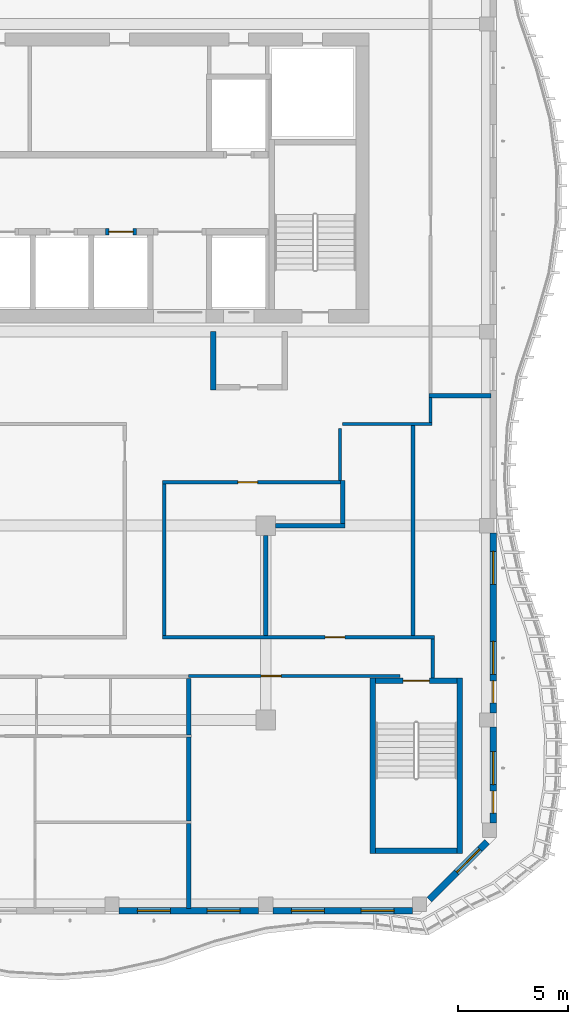
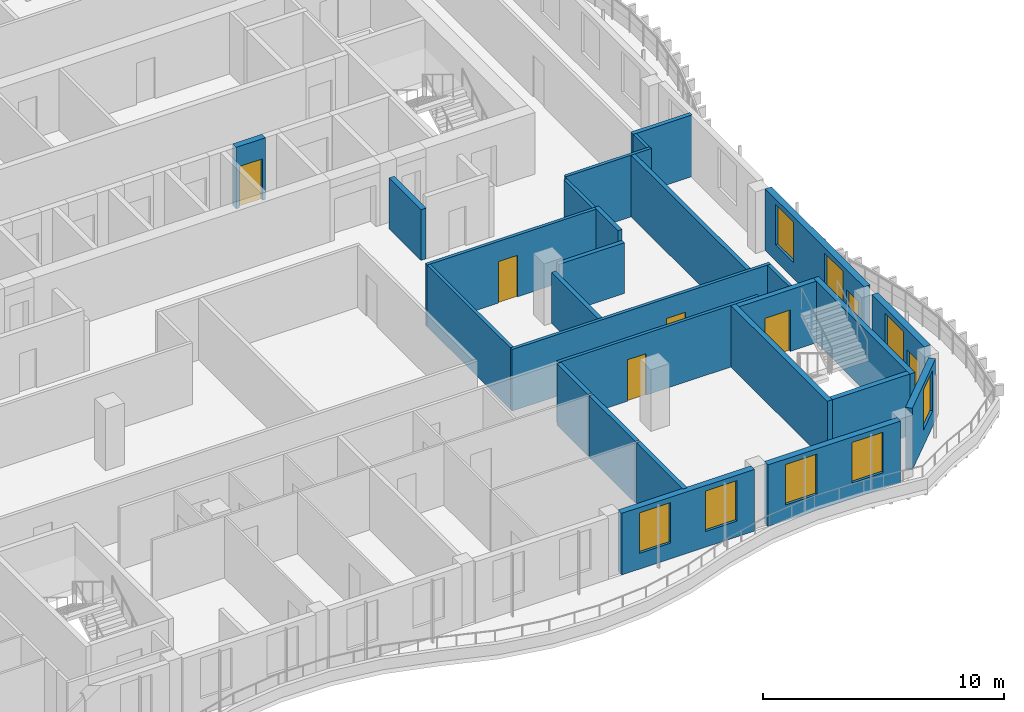
# One storey, part 5 of 18: 27 walls, 8 windows, 7 doors, 15 openings.
"""IFC4 building model written with IfcOpenShell, lengths in metres."""

import ifcopenshell
import ifcopenshell.guid

model = None  # the IFC model being written
_history = None  # IfcOwnerHistory: only IFC2X3 demands one
_inside = {}  # id of a spatial element -> (the spatial element, [elements in it])
_under = {}  # id of a project, library or spatial element -> (it, [spatial elements below it])
_declared = {}  # id of a project -> (the project, [libraries it declares])
_typed = {}  # id of a type object -> (the type object, [elements of that type])
_made_of = {}  # id of a material, layer set ... -> (it, [elements and type objects made of it])


def new_model(schema):
    """Start an empty IFC model of exactly this schema.

    Asked for "IFC4X3", IfcOpenShell would pick the latest addendum, in which some entities
    have other attributes; the version numbers below select the first issue.
    IFC2X3 requires an IfcOwnerHistory on every rooted entity: one is made here for all.
    """
    global model, _history
    if schema == "IFC4X3":
        model = ifcopenshell.file(schema_version=(4, 3, 0, 0))
    else:
        model = ifcopenshell.file(schema=schema)
    _inside.clear()
    _under.clear()
    _declared.clear()
    _typed.clear()
    _made_of.clear()
    _history = None
    if model.schema == "IFC2X3":
        org = make("IfcOrganization", Name="unknown")
        user = make(
            "IfcPersonAndOrganization",
            ThePerson=make("IfcPerson", FamilyName="unknown"),
            TheOrganization=org,
        )
        app = make(
            "IfcApplication",
            ApplicationDeveloper=org,
            Version="unknown",
            ApplicationFullName="unknown",
            ApplicationIdentifier="unknown",
        )
        _history = make(
            "IfcOwnerHistory",
            OwningUser=user,
            OwningApplication=app,
            ChangeAction="ADDED",
            CreationDate=0,
        )
    return model


def make(cls, **values):
    """One entity of the class cls with the attributes given. An attribute that is None is left unset."""
    return model.create_entity(
        cls, **{name: value for name, value in values.items() if value is not None}
    )


def rooted(cls, **values):
    """An entity with a GlobalId (a new one), such as an element, a storey or a relation."""
    return make(cls, GlobalId=ifcopenshell.guid.new(), OwnerHistory=_history, **values)


def si_unit(unit_type, name, prefix=None):
    """IfcSIUnit, for example si_unit("LENGTHUNIT", "METRE", prefix="MILLI")."""
    return make("IfcSIUnit", UnitType=unit_type, Prefix=prefix, Name=name)


def assignment(units):
    """IfcUnitAssignment: the units of a project."""
    return None if units is None else make("IfcUnitAssignment", Units=units)


def point(xyz):
    """IfcCartesianPoint."""
    return None if xyz is None else make("IfcCartesianPoint", Coordinates=xyz)


def direction(xyz):
    """IfcDirection."""
    return None if xyz is None else make("IfcDirection", DirectionRatios=xyz)


def frame(location, z_axis=None, x_axis=None):
    """IfcAxis2Placement3D, a coordinate frame: its origin and axes. An axis left out is left unset."""
    return make(
        "IfcAxis2Placement3D",
        Location=point(location),
        Axis=direction(z_axis),
        RefDirection=direction(x_axis),
    )


def frame_2d(location, x_axis=None):
    """IfcAxis2Placement2D, a coordinate frame in the plane: its origin and x axis."""
    return make(
        "IfcAxis2Placement2D", Location=point(location), RefDirection=direction(x_axis)
    )


def origin():
    """The frame at (0, 0, 0) with its axes left unset."""
    return frame((0.0, 0.0, 0.0))


def place(relative_to, where):
    """IfcLocalPlacement: puts the frame where relative to a parent placement (None: the world)."""
    return make(
        "IfcLocalPlacement", PlacementRelTo=relative_to, RelativePlacement=where
    )


def context(
    kind, dimensions, precision=None, world=None, true_north=None, identifier=None
):
    """IfcGeometricRepresentationContext, for example the 3D "Model" context."""
    return make(
        "IfcGeometricRepresentationContext",
        ContextIdentifier=identifier,
        ContextType=kind,
        CoordinateSpaceDimension=dimensions,
        Precision=precision,
        WorldCoordinateSystem=world,
        TrueNorth=true_north,
    )


def subcontext(parent, identifier, kind, view, scale=None):
    """IfcGeometricRepresentationSubContext, for example "Body" below "Model"."""
    return make(
        "IfcGeometricRepresentationSubContext",
        ContextIdentifier=identifier,
        ContextType=kind,
        ParentContext=parent,
        TargetScale=scale,
        TargetView=view,
    )


def project(units=None, contexts=None):
    """IfcProject with its units and contexts."""
    return rooted(
        "IfcProject",
        Name="project",
        RepresentationContexts=contexts,
        UnitsInContext=assignment(units),
    )


def spatial(cls, under=None, at=None, **own):
    """A site, building, storey or space (cls), placed at a placement, below another one or the project."""
    s = rooted(cls, ObjectPlacement=at, **own)
    if under is not None:
        _under.setdefault(under.id(), (under, []))[1].append(s)
    return s


def profile(cls, at=None, kind="AREA", **sizes):
    """A parametric profile (cls). Its sizes go by their IFC names, for example OverallWidth=200.0."""
    return make(cls, ProfileType=kind, Position=at, **sizes)


def rectangle(**sizes):
    """IfcRectangleProfileDef."""
    return profile("IfcRectangleProfileDef", **sizes)


def extrude(swept, where, along, depth):
    """IfcExtrudedAreaSolid: the profile swept, set in the frame where, extruded along a direction by depth."""
    return make(
        "IfcExtrudedAreaSolid",
        SweptArea=swept,
        Position=where,
        ExtrudedDirection=direction(along),
        Depth=depth,
    )


def shape(context_of_items, identifier, shape_type, items):
    """IfcShapeRepresentation: the items that make up one representation, for example the "Body"."""
    return make(
        "IfcShapeRepresentation",
        ContextOfItems=context_of_items,
        RepresentationIdentifier=identifier,
        RepresentationType=shape_type,
        Items=items,
    )


def source(mapping_origin, context_of_items, identifier, shape_type, items):
    """IfcRepresentationMap: a shape defined once, which mapped items show again and again."""
    return make(
        "IfcRepresentationMap",
        MappingOrigin=mapping_origin,
        MappedRepresentation=shape(context_of_items, identifier, shape_type, items),
    )


def transform(
    local_origin,
    x_axis=None,
    y_axis=None,
    z_axis=None,
    scale=None,
    scale2=None,
    scale3=None,
    uniform=True,
):
    """IfcCartesianTransformationOperator3D, or its non-uniform kind. x_axis, y_axis, z_axis: its Axis1, 2, 3."""
    if uniform:
        return make(
            "IfcCartesianTransformationOperator3D",
            Axis1=direction(x_axis),
            Axis2=direction(y_axis),
            LocalOrigin=point(local_origin),
            Scale=scale,
            Axis3=direction(z_axis),
        )
    return make(
        "IfcCartesianTransformationOperator3DnonUniform",
        Axis1=direction(x_axis),
        Axis2=direction(y_axis),
        LocalOrigin=point(local_origin),
        Scale=scale,
        Axis3=direction(z_axis),
        Scale2=scale2,
        Scale3=scale3,
    )


def mapped(mapping_source, mapping_target):
    """IfcMappedItem: shows the shape of a source again, moved by a transform."""
    return make(
        "IfcMappedItem", MappingSource=mapping_source, MappingTarget=mapping_target
    )


def material(Name=None, Category=None):
    """IfcMaterial."""
    return make("IfcMaterial", Name=Name, Category=Category)


def layer(
    of_material, thickness, ventilated=None, Name=None, Category=None, Priority=None
):
    """IfcMaterialLayer: one layer of a wall or slab, of a material (None: an air gap)."""
    return make(
        "IfcMaterialLayer",
        Material=of_material,
        LayerThickness=thickness,
        IsVentilated=ventilated,
        Name=Name,
        Category=Category,
        Priority=Priority,
    )


def layer_set(layers, Name=None):
    """IfcMaterialLayerSet."""
    return make("IfcMaterialLayerSet", MaterialLayers=layers, LayerSetName=Name)


def made_of(thing, what):
    """Note that an element or type object is made of a material, layer set ...; save() writes the relation."""
    if what is not None:
        _made_of.setdefault(what.id(), (what, []))[1].append(thing)
    return thing


def type_object(cls, material=None, **own):
    """A type object (cls), such as IfcWallType, which elements share."""
    return made_of(rooted(cls, **own), material)


def element(
    cls,
    number,
    at=None,
    inside=None,
    cuts=None,
    type_object=None,
    material=None,
    context=None,
    identifier="Body",
    shape_type=None,
    held_by="IfcProductDefinitionShape",
    body=None,
    shapes=None,
    **own,
):
    """One element of the class cls, such as IfcWall. Its Tag is "e" and its number.

    at: its placement. inside: the storey or other place that contains it. cuts: it is an
    opening in that element (IfcRelVoidsElement). A single representation is given by context,
    identifier, shape_type and body (its items); several are given by shapes. held_by: the class
    of the entity that holds the representations. save() writes the other relations.
    """
    e = rooted(cls, Tag="e%d" % number, ObjectPlacement=at, **own)
    if body is not None:
        shapes = [shape(context, identifier, shape_type, body)]
    if shapes is not None:
        e.Representation = make(held_by, Representations=shapes)
    if inside is not None:
        _inside.setdefault(inside.id(), (inside, []))[1].append(e)
    if cuts is not None:
        rooted(
            "IfcRelVoidsElement", RelatingBuildingElement=cuts, RelatedOpeningElement=e
        )
    if type_object is not None:
        _typed.setdefault(type_object.id(), (type_object, []))[1].append(e)
    return made_of(e, material)


def fill(opening, filler):
    """IfcRelFillsElement: the door or window that sits in an opening."""
    return rooted(
        "IfcRelFillsElement",
        RelatingOpeningElement=opening,
        RelatedBuildingElement=filler,
    )


def aggregate(whole, parts):
    """IfcRelAggregates: a whole, such as a stair, and the parts it consists of."""
    return rooted("IfcRelAggregates", RelatingObject=whole, RelatedObjects=parts)


def save(model, path):
    """Write the relations noted so far, then the file.

    IfcRelAggregates (storeys below a building ...), IfcRelContainedInSpatialStructure (elements
    in a storey), IfcRelDefinesByType, IfcRelAssociatesMaterial and IfcRelDeclares: one each for
    every whole, place, type object, material and project.
    """
    for whole, parts in _under.values():
        aggregate(whole, parts)
    for where, things in _inside.values():
        rooted(
            "IfcRelContainedInSpatialStructure",
            RelatedElements=things,
            RelatingStructure=where,
        )
    for kind, things in _typed.values():
        rooted("IfcRelDefinesByType", RelatedObjects=things, RelatingType=kind)
    for what, things in _made_of.values():
        rooted("IfcRelAssociatesMaterial", RelatedObjects=things, RelatingMaterial=what)
    for by, libraries in _declared.values():
        rooted("IfcRelDeclares", RelatingContext=by, RelatedDefinitions=libraries)
    model.write(path)


model = new_model("IFC4")

# Units and contexts
model_context = context("Model", 3, precision=1e-05, world=origin(), true_north=direction((0.0, 1.0)))
body_context = subcontext(model_context, "Body", "Model", "MODEL_VIEW")
ifc_project = project(units=[si_unit("LENGTHUNIT", "METRE"), si_unit("AREAUNIT", "SQUARE_METRE"), si_unit("VOLUMEUNIT", "CUBIC_METRE"), si_unit("PLANEANGLEUNIT", "RADIAN"), si_unit("MASSUNIT", "GRAM", prefix="KILO")], contexts=[model_context])

# Site, building, storey
site_placement = place(None, origin())
site = spatial("IfcSite", under=ifc_project, at=site_placement, CompositionType="ELEMENT")
building_placement = place(site_placement, origin())
building = spatial("IfcBuilding", under=site, at=building_placement, Name="Kilnfold Tower and Market Hall", CompositionType="ELEMENT")
storey_placement = place(building_placement, frame((0.0, 0.0, 277.199951171875)))
storey = spatial("IfcBuildingStorey", under=building, at=storey_placement, Name="L68", CompositionType="ELEMENT", Elevation=277.199951171875)

# Walls
ifc_material_1 = material(Name="Gypsum board on steel studs", Category="steel")
ifc_layer_1 = layer(ifc_material_1, 0.14990234375)
ifc_layer_set_1 = layer_set([ifc_layer_1], Name="Gypsum board on steel studs")
wall_type_1 = type_object("IfcWallType", Name="WALL CORRIDOR 150", PredefinedType="PARTITIONING", material=ifc_layer_set_1)
wall_1_placement = place(storey_placement, frame((20.5, 3.875, 0.0), z_axis=(0.0, 0.0, 1.0), x_axis=(0.0, 1.0, 0.0)))
element("IfcWall", 1, at=wall_1_placement, inside=storey, type_object=wall_type_1, Name="Partition LY42.15", PredefinedType="PARTITIONING", context=body_context, shape_type="SweptSolid", body=[
    extrude(rectangle(XDim=1.117919921875, YDim=0.14990234375, at=frame_2d((0.55908203125, 0.0))), origin(), (0.0, 0.0, 1.0), 3.1201171875),
])
wall_2_placement = place(storey_placement, frame((20.60009765625, -7.75, 0.0), z_axis=(0.0, 0.0, 1.0), x_axis=(0.0, 1.0, 0.0)))
element("IfcWall", 2, at=wall_2_placement, inside=storey, type_object=wall_type_1, Name="Partition LY42.16", PredefinedType="PARTITIONING", context=body_context, shape_type="SweptSolid", body=[
    extrude(rectangle(XDim=1.77490234375, YDim=0.14990234375, at=frame_2d((0.887451171875, 0.0))), origin(), (0.0, 0.0, 1.0), 3.1201171875),
])

# Wall, opening, door
wall_3_placement = place(storey_placement, frame((9.489990234375, -7.669921875, 0.0), z_axis=(0.0, 0.0, 1.0), x_axis=(1.0, 0.0, 0.0)))
wall_3 = element("IfcWall", 3, at=wall_3_placement, inside=storey, type_object=wall_type_1, Name="Partition LY42.17", PredefinedType="PARTITIONING", context=body_context, shape_type="SweptSolid", body=[
    extrude(rectangle(XDim=9.610107421875, YDim=0.14990234375, at=frame_2d((4.80517578125, 0.0))), origin(), (0.0, 0.0, 1.0), 3.1201171875),
])
opening_1_placement = place(wall_3_placement, frame((3.303955078125, 0.0, 0.0)))
opening_1 = element("IfcOpeningElement", 4, at=opening_1_placement, cuts=wall_3, Name="Opening D2", PredefinedType="OPENING", context=body_context, shape_type="SweptSolid", body=[
    extrude(rectangle(XDim=0.89990234375, YDim=2.10009765625, at=frame_2d((0.449951171875, 1.050048828125))), frame((0.0, 0.0849609375, 0.0), z_axis=(0.0, -1.0, 0.0), x_axis=(1.0, 0.0, 0.0)), (0.0, 0.0, 1.0), 0.169921875),
])
ifc_material_2 = material(Name="Timber veneer door leaf in steel frame", Category="steel")
door_type_1 = type_object("IfcDoorType", Name="DOOR ROOM 900 X2100", OperationType="NOTDEFINED", PredefinedType="DOOR", material=ifc_material_2)
door_1_placement = place(opening_1_placement, origin())
door_1 = element("IfcDoor", 5, at=door_1_placement, inside=storey, type_object=door_type_1, Name="Door D2", OperationType="SINGLE_SWING_RIGHT", OverallHeight=2.10009765625, OverallWidth=0.89990234375, PredefinedType="DOOR", context=body_context, shape_type="SweptSolid", body=[
    extrude(rectangle(XDim=0.89990234375, YDim=2.10009765625, at=frame_2d((0.449951171875, 1.050048828125))), frame((0.0, 0.02490234375, 0.0), z_axis=(0.0, -1.0, 0.0), x_axis=(1.0, 0.0, 0.0)), (0.0, 0.0, 1.0), 0.050048828125),
])
fill(opening_1, door_1)

# Wall
wall_4_placement = place(storey_placement, frame((16.3798828125, 1.22509765625, 0.0), z_axis=(0.0, 0.0, 1.0), x_axis=(0.0, 1.0, 0.0)))
element("IfcWall", 6, at=wall_4_placement, inside=storey, type_object=wall_type_1, Name="Partition LY42.28", PredefinedType="PARTITIONING", context=body_context, shape_type="SweptSolid", body=[
    extrude(rectangle(XDim=2.367919921875, YDim=0.14990234375, at=frame_2d((1.18408203125, 0.0))), origin(), (0.0, 0.0, 1.0), 3.1201171875),
])

# Wall, opening, door
wall_5_placement = place(storey_placement, frame((8.304931640625, 1.14990234375, 0.0), z_axis=(0.0, 0.0, 1.0), x_axis=(1.0, 0.0, 0.0)))
wall_5 = element("IfcWall", 7, at=wall_5_placement, inside=storey, type_object=wall_type_1, Name="Partition LY42.29", PredefinedType="PARTITIONING", context=body_context, shape_type="SweptSolid", body=[
    extrude(rectangle(XDim=8.094970703125, YDim=0.14990234375, at=frame_2d((4.04736328125, 0.0))), origin(), (0.0, 0.0, 1.0), 3.1201171875),
])
opening_2_placement = place(wall_5_placement, frame((3.424072265625, 0.0, 0.0)))
opening_2 = element("IfcOpeningElement", 8, at=opening_2_placement, cuts=wall_5, Name="Opening D2", PredefinedType="OPENING", context=body_context, shape_type="SweptSolid", body=[
    extrude(rectangle(XDim=0.89990234375, YDim=2.10009765625, at=frame_2d((0.449951171875, 1.050048828125))), frame((0.0, 0.0849609375, 0.0), z_axis=(0.0, -1.0, 0.0), x_axis=(1.0, 0.0, 0.0)), (0.0, 0.0, 1.0), 0.169921875),
])
door_2_placement = place(opening_2_placement, origin())
door_2 = element("IfcDoor", 9, at=door_2_placement, inside=storey, type_object=door_type_1, Name="Door D2", OperationType="SINGLE_SWING_LEFT", OverallHeight=2.10009765625, OverallWidth=0.89990234375, PredefinedType="DOOR", context=body_context, shape_type="SweptSolid", body=[
    extrude(rectangle(XDim=0.89990234375, YDim=2.10009765625, at=frame_2d((0.449951171875, 1.050048828125))), frame((0.0, 0.02490234375, 0.0), z_axis=(0.0, -1.0, 0.0), x_axis=(1.0, 0.0, 0.0)), (0.0, 0.0, 1.0), 0.050048828125),
])
fill(opening_2, door_2)

# Wall
wall_6_placement = place(storey_placement, frame((8.3798828125, -5.824951171875, 0.0), z_axis=(0.0, 0.0, 1.0), x_axis=(0.0, 1.0, 0.0)))
element("IfcWall", 10, at=wall_6_placement, inside=storey, type_object=wall_type_1, Name="Partition LY42.30", PredefinedType="PARTITIONING", context=body_context, shape_type="SweptSolid", body=[
    extrude(rectangle(XDim=6.89990234375, YDim=0.14990234375, at=frame_2d((3.449951171875, 0.0))), origin(), (0.0, 0.0, 1.0), 3.1201171875),
])

# Wall, opening, door
wall_7_placement = place(storey_placement, frame((8.304931640625, -5.89990234375, 0.0), z_axis=(0.0, 0.0, 1.0), x_axis=(1.0, 0.0, 0.0)))
wall_7 = element("IfcWall", 11, at=wall_7_placement, inside=storey, type_object=wall_type_1, Name="Partition LY42.31", PredefinedType="PARTITIONING", context=body_context, shape_type="SweptSolid", body=[
    extrude(rectangle(XDim=12.3701171875, YDim=0.14990234375, at=frame_2d((6.18505859375, 0.0))), origin(), (0.0, 0.0, 1.0), 3.1201171875),
])
opening_3_placement = place(wall_7_placement, frame((7.39404296875, 0.0, 0.0)))
opening_3 = element("IfcOpeningElement", 12, at=opening_3_placement, cuts=wall_7, Name="Opening D2", PredefinedType="OPENING", context=body_context, shape_type="SweptSolid", body=[
    extrude(rectangle(XDim=0.89990234375, YDim=2.10009765625, at=frame_2d((0.449951171875, 1.050048828125))), frame((0.0, 0.0849609375, 0.0), z_axis=(0.0, -1.0, 0.0), x_axis=(1.0, 0.0, 0.0)), (0.0, 0.0, 1.0), 0.169921875),
])
door_3_placement = place(opening_3_placement, origin())
door_3 = element("IfcDoor", 13, at=door_3_placement, inside=storey, type_object=door_type_1, Name="Door D2", OperationType="SINGLE_SWING_RIGHT", OverallHeight=2.10009765625, OverallWidth=0.89990234375, PredefinedType="DOOR", context=body_context, shape_type="SweptSolid", body=[
    extrude(rectangle(XDim=0.89990234375, YDim=2.10009765625, at=frame_2d((0.449951171875, 1.050048828125))), frame((0.0, 0.02490234375, 0.0), z_axis=(0.0, -1.0, 0.0), x_axis=(1.0, 0.0, 0.0)), (0.0, 0.0, 1.0), 0.050048828125),
])
fill(opening_3, door_3)

# Walls
wall_8_placement = place(storey_placement, frame((16.489990234375, 3.800048828125, 0.0), z_axis=(0.0, 0.0, 1.0), x_axis=(1.0, 0.0, 0.0)))
element("IfcWall", 14, at=wall_8_placement, inside=storey, type_object=wall_type_1, Name="Partition LY42.32", PredefinedType="PARTITIONING", context=body_context, shape_type="SweptSolid", body=[
    extrude(rectangle(XDim=4.0849609375, YDim=0.14990234375, at=frame_2d((2.04248046875, 0.0))), origin(), (0.0, 0.0, 1.0), 3.1201171875),
])
ifc_material_3 = material(Name="Gypsum board on steel studs", Category="steel")
ifc_layer_2 = layer(ifc_material_3, 0.199951171875)
ifc_layer_set_2 = layer_set([ifc_layer_2], Name="Gypsum board on steel studs")
wall_type_2 = type_object("IfcWallType", Name="WALL PARTY 200", PredefinedType="PARTITIONING", material=ifc_layer_set_2)
wall_9_placement = place(storey_placement, frame((9.5, -10.35009765625, 0.0), z_axis=(0.0, 0.0, 1.0), x_axis=(0.0, 1.0, 0.0)))
element("IfcWall", 15, at=wall_9_placement, inside=storey, type_object=wall_type_2, Name="Partition LY42.56", PredefinedType="PARTITIONING", context=body_context, shape_type="SweptSolid", body=[
    extrude(rectangle(XDim=2.572998046875, YDim=0.199951171875, at=frame_2d((1.28662109375, 0.0))), origin(), (0.0, 0.0, 1.0), 3.1201171875),
])
wall_10_placement = place(storey_placement, frame((9.5, -18.25, 0.0), z_axis=(0.0, 0.0, 1.0), x_axis=(0.0, 1.0, 0.0)))
element("IfcWall", 16, at=wall_10_placement, inside=storey, type_object=wall_type_2, Name="Partition LY42.60", PredefinedType="PARTITIONING", context=body_context, shape_type="SweptSolid", body=[
    extrude(rectangle(XDim=3.8740234375, YDim=0.199951171875, at=frame_2d((1.93701171875, 0.0))), origin(), (0.0, 0.0, 1.0), 3.1201171875),
])
wall_11_placement = place(storey_placement, frame((9.5, -14.27587890625, 0.0), z_axis=(0.0, 0.0, 1.0), x_axis=(0.0, 1.0, 0.0)))
element("IfcWall", 17, at=wall_11_placement, inside=storey, type_object=wall_type_2, Name="Partition LY42.61", PredefinedType="PARTITIONING", context=body_context, shape_type="SweptSolid", body=[
    extrude(rectangle(XDim=3.823974609375, YDim=0.199951171875, at=frame_2d((1.912109375, 0.0))), origin(), (0.0, 0.0, 1.0), 3.1201171875),
])
wall_12_placement = place(storey_placement, frame((23.25, 5.0830078125, 0.0), z_axis=(0.0, 0.0, 1.0), x_axis=(-1.0, 0.0, 0.0)))
element("IfcWall", 18, at=wall_12_placement, inside=storey, type_object=wall_type_2, Name="Partition LY42.62", PredefinedType="PARTITIONING", context=body_context, shape_type="SweptSolid", body=[
    extrude(rectangle(XDim=2.822998046875, YDim=0.199951171875, at=frame_2d((1.41162109375, 0.0))), origin(), (0.0, 0.0, 1.0), 3.1201171875),
])
wall_13_placement = place(storey_placement, frame((19.699951171875, 3.722900390625, 0.0), z_axis=(0.0, 0.0, 1.0), x_axis=(0.0, -1.0, 0.0)))
element("IfcWall", 19, at=wall_13_placement, inside=storey, type_object=wall_type_2, Name="Partition LY42.63", PredefinedType="PARTITIONING", context=body_context, shape_type="SweptSolid", body=[
    extrude(rectangle(XDim=9.5458984375, YDim=0.199951171875, at=frame_2d((4.77294921875, 0.0))), origin(), (0.0, 0.0, 1.0), 3.1201171875),
])
wall_14_placement = place(storey_placement, frame((16.5, -0.73291015625, 0.0), z_axis=(0.0, 0.0, 1.0), x_axis=(0.0, 1.0, 0.0)))
element("IfcWall", 20, at=wall_14_placement, inside=storey, type_object=wall_type_2, Name="Partition LY42.80", PredefinedType="PARTITIONING", context=body_context, shape_type="SweptSolid", body=[
    extrude(rectangle(XDim=1.9580078125, YDim=0.199951171875, at=frame_2d((0.97900390625, 0.0))), origin(), (0.0, 0.0, 1.0), 3.1201171875),
])
wall_15_placement = place(storey_placement, frame((13.449951171875, -0.8330078125, 0.0), z_axis=(0.0, 0.0, 1.0), x_axis=(1.0, 0.0, 0.0)))
element("IfcWall", 21, at=wall_15_placement, inside=storey, type_object=wall_type_2, Name="Partition LY42.81", PredefinedType="PARTITIONING", context=body_context, shape_type="SweptSolid", body=[
    extrude(rectangle(XDim=3.150146484375, YDim=0.199951171875, at=frame_2d((1.5751953125, 0.0))), origin(), (0.0, 0.0, 1.0), 2.570068359375),
])
wall_16_placement = place(storey_placement, frame((13.0, -5.822998046875, 0.0), z_axis=(0.0, 0.0, 1.0), x_axis=(0.0, 1.0, 0.0)))
element("IfcWall", 22, at=wall_16_placement, inside=storey, type_object=wall_type_2, Name="Partition LY42.82", PredefinedType="PARTITIONING", context=body_context, shape_type="SweptSolid", body=[
    extrude(rectangle(XDim=4.5400390625, YDim=0.199951171875, at=frame_2d((2.27001953125, 0.0))), origin(), (0.0, 0.0, 1.0), 2.570068359375),
])
ifc_material_4 = material(Name="Concrete C50", Category="concrete")
ifc_layer_3 = layer(ifc_material_4, 0.25)
ifc_layer_set_3 = layer_set([ifc_layer_3], Name="Concrete C50")
wall_type_3 = type_object("IfcWallType", Name="CORE WALL 250 C50", PredefinedType="SHEAR", material=ifc_layer_set_3)
shared_shape_1 = source(origin(), body_context, "Body", "SweptSolid", [
    extrude(rectangle(XDim=3.699951171875, YDim=0.25, at=frame_2d((1.85009765625, 0.0))), origin(), (0.0, 0.0, 1.0), 3.1201171875),
])
wall_17_placement = place(storey_placement, frame((18.0, -15.625, 0.0), z_axis=(0.0, 0.0, 1.0), x_axis=(1.0, 0.0, 0.0)))
element("IfcWall", 23, at=wall_17_placement, inside=storey, type_object=wall_type_3, Name="Stair enclosure ST4", PredefinedType="SHEAR", context=body_context, shape_type="MappedRepresentation", body=[
    mapped(shared_shape_1, transform((0.0, 0.0, 0.0))),
])

# Wall, opening, door
wall_18_placement = place(storey_placement, frame((18.0, -7.875, 0.0), z_axis=(0.0, 0.0, 1.0), x_axis=(1.0, 0.0, 0.0)))
wall_18 = element("IfcWall", 24, at=wall_18_placement, inside=storey, type_object=wall_type_3, Name="Stair enclosure ST4", PredefinedType="SHEAR", context=body_context, shape_type="MappedRepresentation", body=[
    mapped(shared_shape_1, transform((0.0, 0.0, 0.0))),
])
opening_4_placement = place(wall_18_placement, frame((1.25, 0.0, 0.0)))
opening_4 = element("IfcOpeningElement", 25, at=opening_4_placement, cuts=wall_18, Name="Opening SD1", PredefinedType="OPENING", context=body_context, shape_type="SweptSolid", body=[
    extrude(rectangle(XDim=1.199951171875, YDim=2.10009765625, at=frame_2d((0.60009765625, 1.050048828125))), frame((0.0, 0.135009765625, 0.0), z_axis=(0.0, -1.0, 0.0), x_axis=(1.0, 0.0, 0.0)), (0.0, 0.0, 1.0), 0.27001953125),
])
ifc_material_5 = material(Name="Steel door set with fire-resisting leaf", Category="steel")
door_type_2 = type_object("IfcDoorType", Name="STAIR FLOOR DOOR 1200X2100", OperationType="NOTDEFINED", PredefinedType="DOOR", material=ifc_material_5)
door_4_placement = place(opening_4_placement, origin())
door_4 = element("IfcDoor", 26, at=door_4_placement, inside=storey, type_object=door_type_2, Name="Exit stair ST4 door", OperationType="DOUBLE_DOOR_SINGLE_SWING", OverallHeight=2.10009765625, OverallWidth=1.199951171875, PredefinedType="DOOR", context=body_context, shape_type="SweptSolid", body=[
    extrude(rectangle(XDim=1.199951171875, YDim=2.10009765625, at=frame_2d((0.60009765625, 1.050048828125))), frame((0.0, 0.02490234375, 0.0), z_axis=(0.0, -1.0, 0.0), x_axis=(1.0, 0.0, 0.0)), (0.0, 0.0, 1.0), 0.050048828125),
])
fill(opening_4, door_4)

# Walls
shared_shape_2 = source(origin(), body_context, "Body", "SweptSolid", [
    extrude(rectangle(XDim=8.0, YDim=0.25, at=frame_2d((4.0, 0.0))), origin(), (0.0, 0.0, 1.0), 3.1201171875),
])
for number, where, z_axis, x_axis, name in (
    (27, (17.875, -15.75, 0.0), (0.0, 0.0, 1.0), (0.0, 1.0, 0.0), "Stair enclosure ST4"),
    (28, (21.824951171875, -15.75, 0.0), (0.0, 0.0, 1.0), (0.0, 1.0, 0.0), "Stair enclosure ST4"),
):
    element("IfcWall", number, at=place(storey_placement, frame(where, z_axis=z_axis, x_axis=x_axis)), inside=storey, type_object=wall_type_3, Name=name, PredefinedType="SHEAR", context=body_context, shape_type="MappedRepresentation", body=[
        mapped(shared_shape_2, transform((0.0, 0.0, 0.0))),
    ])

# Wall, openings, windows
ifc_material_6 = material(Name="Precast concrete C50/60", Category="concrete")
ifc_layer_4 = layer(ifc_material_6, 0.300048828125)
ifc_layer_set_4 = layer_set([ifc_layer_4], Name="Precast concrete C50/60")
wall_type_4 = type_object("IfcWallType", Name="PRECAST WALL 300", PredefinedType="SOLIDWALL", material=ifc_layer_set_4)
shared_shape_3 = source(origin(), body_context, "Body", "SweptSolid", [
    extrude(rectangle(XDim=6.35009765625, YDim=0.300048828125, at=frame_2d((3.175048828125, 0.0))), origin(), (0.0, 0.0, 1.0), 3.1201171875),
])
wall_19_placement = place(storey_placement, frame((6.324951171875, -18.35009765625, 0.0), z_axis=(0.0, 0.0, 1.0), x_axis=(1.0, 0.0, 0.0)))
wall_19 = element("IfcWall", 29, at=wall_19_placement, inside=storey, type_object=wall_type_4, Name="External wall L68 S", PredefinedType="SOLIDWALL", context=body_context, shape_type="MappedRepresentation", body=[
    mapped(shared_shape_3, transform((0.0, 0.0, 0.0))),
])
opening_5_placement = place(wall_19_placement, frame((0.83740234375, 0.0, 0.800048828125)))
opening_5 = element("IfcOpeningElement", 30, at=opening_5_placement, cuts=wall_19, Name="Opening W5", PredefinedType="OPENING", context=body_context, shape_type="SweptSolid", body=[
    extrude(rectangle(XDim=1.5, YDim=2.050048828125, at=frame_2d((0.75, 1.02490234375))), frame((0.0, 0.16015625, 0.0), z_axis=(0.0, -1.0, 0.0), x_axis=(1.0, 0.0, 0.0)), (0.0, 0.0, 1.0), 0.320068359375),
])
opening_6_placement = place(wall_19_placement, frame((4.012451171875, 0.0, 0.800048828125)))
opening_6 = element("IfcOpeningElement", 31, at=opening_6_placement, cuts=wall_19, Name="Opening W5", PredefinedType="OPENING", context=body_context, shape_type="SweptSolid", body=[
    extrude(rectangle(XDim=1.5, YDim=2.050048828125, at=frame_2d((0.75, 1.02490234375))), frame((0.0, 0.16015625, 0.0), z_axis=(0.0, -1.0, 0.0), x_axis=(1.0, 0.0, 0.0)), (0.0, 0.0, 1.0), 0.320068359375),
])
ifc_material_7 = material(Name="Aluminium frame and double glazing", Category="aluminium")
window_type = type_object("IfcWindowType", Name="WINDOW W5 1500X2050", PartitioningType="SINGLE_PANEL", PredefinedType="WINDOW", material=ifc_material_7)
window_1_placement = place(opening_5_placement, origin())
window_1 = element("IfcWindow", 32, at=window_1_placement, inside=storey, type_object=window_type, Name="Window W5 L68 S-1", OverallHeight=2.050048828125, OverallWidth=1.5, PartitioningType="SINGLE_PANEL", PredefinedType="WINDOW", context=body_context, shape_type="SweptSolid", body=[
    extrude(rectangle(XDim=1.5, YDim=2.050048828125, at=frame_2d((0.75, 1.02490234375))), frame((0.0, 0.030029296875, 0.0), z_axis=(0.0, -1.0, 0.0), x_axis=(1.0, 0.0, 0.0)), (0.0, 0.0, 1.0), 0.06005859375),
])
fill(opening_5, window_1)
window_2_placement = place(opening_6_placement, origin())
window_2 = element("IfcWindow", 33, at=window_2_placement, inside=storey, type_object=window_type, Name="Window W5 L68 S-2", OverallHeight=2.050048828125, OverallWidth=1.5, PartitioningType="SINGLE_PANEL", PredefinedType="WINDOW", context=body_context, shape_type="SweptSolid", body=[
    extrude(rectangle(XDim=1.5, YDim=2.050048828125, at=frame_2d((0.75, 1.02490234375))), frame((0.0, 0.030029296875, 0.0), z_axis=(0.0, -1.0, 0.0), x_axis=(1.0, 0.0, 0.0)), (0.0, 0.0, 1.0), 0.06005859375),
])
fill(opening_6, window_2)

wall_20_placement = place(storey_placement, frame((13.324951171875, -18.35009765625, 0.0), z_axis=(0.0, 0.0, 1.0), x_axis=(1.0, 0.0, 0.0)))
wall_20 = element("IfcWall", 34, at=wall_20_placement, inside=storey, type_object=wall_type_4, Name="External wall L68 S", PredefinedType="SOLIDWALL", context=body_context, shape_type="MappedRepresentation", body=[
    mapped(shared_shape_3, transform((0.0, 0.0, 0.0))),
])
opening_7_placement = place(wall_20_placement, frame((0.83740234375, 0.0, 0.800048828125)))
opening_7 = element("IfcOpeningElement", 35, at=opening_7_placement, cuts=wall_20, Name="Opening W5", PredefinedType="OPENING", context=body_context, shape_type="SweptSolid", body=[
    extrude(rectangle(XDim=1.5, YDim=2.050048828125, at=frame_2d((0.75, 1.02490234375))), frame((0.0, 0.16015625, 0.0), z_axis=(0.0, -1.0, 0.0), x_axis=(1.0, 0.0, 0.0)), (0.0, 0.0, 1.0), 0.320068359375),
])
opening_8_placement = place(wall_20_placement, frame((4.012451171875, 0.0, 0.800048828125)))
opening_8 = element("IfcOpeningElement", 36, at=opening_8_placement, cuts=wall_20, Name="Opening W5", PredefinedType="OPENING", context=body_context, shape_type="SweptSolid", body=[
    extrude(rectangle(XDim=1.5, YDim=2.050048828125, at=frame_2d((0.75, 1.02490234375))), frame((0.0, 0.16015625, 0.0), z_axis=(0.0, -1.0, 0.0), x_axis=(1.0, 0.0, 0.0)), (0.0, 0.0, 1.0), 0.320068359375),
])
window_3_placement = place(opening_7_placement, origin())
window_3 = element("IfcWindow", 37, at=window_3_placement, inside=storey, type_object=window_type, Name="Window W5 L68 S-1", OverallHeight=2.050048828125, OverallWidth=1.5, PartitioningType="SINGLE_PANEL", PredefinedType="WINDOW", context=body_context, shape_type="SweptSolid", body=[
    extrude(rectangle(XDim=1.5, YDim=2.050048828125, at=frame_2d((0.75, 1.02490234375))), frame((0.0, 0.030029296875, 0.0), z_axis=(0.0, -1.0, 0.0), x_axis=(1.0, 0.0, 0.0)), (0.0, 0.0, 1.0), 0.06005859375),
])
fill(opening_7, window_3)
window_4_placement = place(opening_8_placement, origin())
window_4 = element("IfcWindow", 38, at=window_4_placement, inside=storey, type_object=window_type, Name="Window W5 L68 S-2", OverallHeight=2.050048828125, OverallWidth=1.5, PartitioningType="SINGLE_PANEL", PredefinedType="WINDOW", context=body_context, shape_type="SweptSolid", body=[
    extrude(rectangle(XDim=1.5, YDim=2.050048828125, at=frame_2d((0.75, 1.02490234375))), frame((0.0, 0.030029296875, 0.0), z_axis=(0.0, -1.0, 0.0), x_axis=(1.0, 0.0, 0.0)), (0.0, 0.0, 1.0), 0.06005859375),
])
fill(opening_8, window_4)

# Wall, opening, window
shared_shape_4 = source(origin(), body_context, "Body", "SweptSolid", [
    extrude(rectangle(XDim=3.71240234375, YDim=0.300048828125, at=frame_2d((1.856201171875, 0.0))), origin(), (0.0, 0.0, 1.0), 3.1201171875),
])
wall_21_placement = place(storey_placement, frame((20.44384765625, -17.843994140625, 0.0), z_axis=(0.0, 0.0, 1.0), x_axis=(0.707106781187, 0.707106781187, 0.0)))
wall_21 = element("IfcWall", 39, at=wall_21_placement, inside=storey, type_object=wall_type_4, Name="External wall L68 SE", PredefinedType="SOLIDWALL", context=body_context, shape_type="MappedRepresentation", body=[
    mapped(shared_shape_4, transform((0.0, 0.0, 0.0))),
])
opening_9_placement = place(wall_21_placement, frame((1.75, 0.0, 0.800048828125)))
opening_9 = element("IfcOpeningElement", 40, at=opening_9_placement, cuts=wall_21, Name="Opening W5", PredefinedType="OPENING", context=body_context, shape_type="SweptSolid", body=[
    extrude(rectangle(XDim=1.5, YDim=2.050048828125, at=frame_2d((0.75, 1.02490234375))), frame((0.0, 0.16015625, 0.0), z_axis=(0.0, -1.0, 0.0), x_axis=(1.0, 0.0, 0.0)), (0.0, 0.0, 1.0), 0.320068359375),
])
window_5_placement = place(opening_9_placement, origin())
window_5 = element("IfcWindow", 41, at=window_5_placement, inside=storey, type_object=window_type, Name="Window W5 L68 SE-1", OverallHeight=2.050048828125, OverallWidth=1.5, PartitioningType="SINGLE_PANEL", PredefinedType="WINDOW", context=body_context, shape_type="SweptSolid", body=[
    extrude(rectangle(XDim=1.5, YDim=2.050048828125, at=frame_2d((0.75, 1.02490234375))), frame((0.0, 0.030029296875, 0.0), z_axis=(0.0, -1.0, 0.0), x_axis=(1.0, 0.0, 0.0)), (0.0, 0.0, 1.0), 0.06005859375),
])
fill(opening_9, window_5)

# Wall, openings, door, window
shared_shape_5 = source(origin(), body_context, "Body", "SweptSolid", [
    extrude(rectangle(XDim=4.364990234375, YDim=0.300048828125, at=frame_2d((2.1826171875, 0.0))), origin(), (0.0, 0.0, 1.0), 3.1201171875),
])
wall_22_placement = place(storey_placement, frame((23.35009765625, -14.356689453125, 0.0), z_axis=(0.0, 0.0, 1.0), x_axis=(0.0, 1.0, 0.0)))
wall_22 = element("IfcWall", 42, at=wall_22_placement, inside=storey, type_object=wall_type_4, Name="External wall L68 E", PredefinedType="SOLIDWALL", context=body_context, shape_type="MappedRepresentation", body=[
    mapped(shared_shape_5, transform((0.0, 0.0, 0.0))),
])
opening_10_placement = place(wall_22_placement, frame((1.75, 0.0, 0.800048828125)))
opening_10 = element("IfcOpeningElement", 43, at=opening_10_placement, cuts=wall_22, Name="Opening W5", PredefinedType="OPENING", context=body_context, shape_type="SweptSolid", body=[
    extrude(rectangle(XDim=1.5, YDim=2.050048828125, at=frame_2d((0.75, 1.02490234375))), frame((0.0, 0.16015625, 0.0), z_axis=(0.0, -1.0, 0.0), x_axis=(1.0, 0.0, 0.0)), (0.0, 0.0, 1.0), 0.320068359375),
])
opening_11_placement = place(wall_22_placement, frame((0.449951171875, 0.0, 0.0)))
opening_11 = element("IfcOpeningElement", 44, at=opening_11_placement, cuts=wall_22, Name="Opening BD1", PredefinedType="OPENING", context=body_context, shape_type="SweptSolid", body=[
    extrude(rectangle(XDim=1.0, YDim=2.10009765625, at=frame_2d((0.5, 1.050048828125))), frame((0.0, 0.16015625, 0.0), z_axis=(0.0, -1.0, 0.0), x_axis=(1.0, 0.0, 0.0)), (0.0, 0.0, 1.0), 0.320068359375),
])
ifc_material_8 = material(Name="Aluminium frame and double glazing", Category="aluminium")
door_type_3 = type_object("IfcDoorType", Name="BALCONY DOOR 1000X2100", OperationType="NOTDEFINED", PredefinedType="DOOR", material=ifc_material_8)
door_5_placement = place(opening_11_placement, origin())
door_5 = element("IfcDoor", 45, at=door_5_placement, inside=storey, type_object=door_type_3, Name="Balcony door BD1 L68 E-1", OperationType="SINGLE_SWING_LEFT", OverallHeight=2.10009765625, OverallWidth=1.0, PredefinedType="DOOR", context=body_context, shape_type="SweptSolid", body=[
    extrude(rectangle(XDim=1.0, YDim=2.10009765625, at=frame_2d((0.5, 1.050048828125))), frame((0.0, 0.02490234375, 0.0), z_axis=(0.0, -1.0, 0.0), x_axis=(1.0, 0.0, 0.0)), (0.0, 0.0, 1.0), 0.050048828125),
])
fill(opening_11, door_5)
window_6_placement = place(opening_10_placement, origin())
window_6 = element("IfcWindow", 46, at=window_6_placement, inside=storey, type_object=window_type, Name="Window W5 L68 E-1", OverallHeight=2.050048828125, OverallWidth=1.5, PartitioningType="SINGLE_PANEL", PredefinedType="WINDOW", context=body_context, shape_type="SweptSolid", body=[
    extrude(rectangle(XDim=1.5, YDim=2.050048828125, at=frame_2d((0.75, 1.02490234375))), frame((0.0, 0.030029296875, 0.0), z_axis=(0.0, -1.0, 0.0), x_axis=(1.0, 0.0, 0.0)), (0.0, 0.0, 1.0), 0.06005859375),
])
fill(opening_10, window_6)

# Wall, openings, door, windows
shared_shape_6 = source(origin(), body_context, "Body", "SweptSolid", [
    extrude(rectangle(XDim=8.18359375, YDim=0.300048828125, at=frame_2d((4.091796875, 0.0))), origin(), (0.0, 0.0, 1.0), 3.1201171875),
])
wall_23_placement = place(storey_placement, frame((23.35009765625, -9.341796875, 0.0), z_axis=(0.0, 0.0, 1.0), x_axis=(0.0, 1.0, 0.0)))
wall_23 = element("IfcWall", 47, at=wall_23_placement, inside=storey, type_object=wall_type_4, Name="External wall L68 E", PredefinedType="SOLIDWALL", context=body_context, shape_type="MappedRepresentation", body=[
    mapped(shared_shape_6, transform((0.0, 0.0, 0.0))),
])
opening_12_placement = place(wall_23_placement, frame((1.75, 0.0, 0.800048828125)))
opening_12 = element("IfcOpeningElement", 48, at=opening_12_placement, cuts=wall_23, Name="Opening W5", PredefinedType="OPENING", context=body_context, shape_type="SweptSolid", body=[
    extrude(rectangle(XDim=1.5, YDim=2.050048828125, at=frame_2d((0.75, 1.02490234375))), frame((0.0, 0.16015625, 0.0), z_axis=(0.0, -1.0, 0.0), x_axis=(1.0, 0.0, 0.0)), (0.0, 0.0, 1.0), 0.320068359375),
])
opening_13_placement = place(wall_23_placement, frame((0.449951171875, 0.0, 0.0)))
opening_13 = element("IfcOpeningElement", 49, at=opening_13_placement, cuts=wall_23, Name="Opening BD1", PredefinedType="OPENING", context=body_context, shape_type="SweptSolid", body=[
    extrude(rectangle(XDim=1.0, YDim=2.10009765625, at=frame_2d((0.5, 1.050048828125))), frame((0.0, 0.16015625, 0.0), z_axis=(0.0, -1.0, 0.0), x_axis=(1.0, 0.0, 0.0)), (0.0, 0.0, 1.0), 0.320068359375),
])
opening_14_placement = place(wall_23_placement, frame((5.841796875, 0.0, 0.800048828125)))
opening_14 = element("IfcOpeningElement", 50, at=opening_14_placement, cuts=wall_23, Name="Opening W5", PredefinedType="OPENING", context=body_context, shape_type="SweptSolid", body=[
    extrude(rectangle(XDim=1.5, YDim=2.050048828125, at=frame_2d((0.75, 1.02490234375))), frame((0.0, 0.16015625, 0.0), z_axis=(0.0, -1.0, 0.0), x_axis=(1.0, 0.0, 0.0)), (0.0, 0.0, 1.0), 0.320068359375),
])
door_6_placement = place(opening_13_placement, origin())
door_6 = element("IfcDoor", 51, at=door_6_placement, inside=storey, type_object=door_type_3, Name="Balcony door BD1 L68 E-1", OperationType="SINGLE_SWING_LEFT", OverallHeight=2.10009765625, OverallWidth=1.0, PredefinedType="DOOR", context=body_context, shape_type="SweptSolid", body=[
    extrude(rectangle(XDim=1.0, YDim=2.10009765625, at=frame_2d((0.5, 1.050048828125))), frame((0.0, 0.02490234375, 0.0), z_axis=(0.0, -1.0, 0.0), x_axis=(1.0, 0.0, 0.0)), (0.0, 0.0, 1.0), 0.050048828125),
])
fill(opening_13, door_6)
window_7_placement = place(opening_12_placement, origin())
window_7 = element("IfcWindow", 52, at=window_7_placement, inside=storey, type_object=window_type, Name="Window W5 L68 E-1", OverallHeight=2.050048828125, OverallWidth=1.5, PartitioningType="SINGLE_PANEL", PredefinedType="WINDOW", context=body_context, shape_type="SweptSolid", body=[
    extrude(rectangle(XDim=1.5, YDim=2.050048828125, at=frame_2d((0.75, 1.02490234375))), frame((0.0, 0.030029296875, 0.0), z_axis=(0.0, -1.0, 0.0), x_axis=(1.0, 0.0, 0.0)), (0.0, 0.0, 1.0), 0.06005859375),
])
fill(opening_12, window_7)
window_8_placement = place(opening_14_placement, origin())
window_8 = element("IfcWindow", 53, at=window_8_placement, inside=storey, type_object=window_type, Name="Window W5 L68 E-2", OverallHeight=2.050048828125, OverallWidth=1.5, PartitioningType="SINGLE_PANEL", PredefinedType="WINDOW", context=body_context, shape_type="SweptSolid", body=[
    extrude(rectangle(XDim=1.5, YDim=2.050048828125, at=frame_2d((0.75, 1.02490234375))), frame((0.0, 0.030029296875, 0.0), z_axis=(0.0, -1.0, 0.0), x_axis=(1.0, 0.0, 0.0)), (0.0, 0.0, 1.0), 0.06005859375),
])
fill(opening_14, window_8)

# Wall, opening, door
ifc_material_9 = material(Name="Gypsum shaft wall system")
ifc_layer_5 = layer(ifc_material_9, 0.300048828125)
ifc_layer_set_5 = layer_set([ifc_layer_5], Name="Gypsum shaft wall system")
wall_type_5 = type_object("IfcWallType", Name="SHAFT WALL 300", PredefinedType="PARTITIONING", material=ifc_layer_set_5)
shared_shape_7 = source(origin(), body_context, "Body", "SweptSolid", [
    extrude(rectangle(XDim=1.400146484375, YDim=0.300048828125, at=frame_2d((0.7001953125, 0.0))), origin(), (0.0, 0.0, 1.0), 3.1201171875),
])
wall_24_placement = place(storey_placement, frame((5.7099609375, 12.550048828125, 0.0), z_axis=(0.0, 0.0, 1.0), x_axis=(1.0, 0.0, 0.0)))
wall_24 = element("IfcWall", 54, at=wall_24_placement, inside=storey, type_object=wall_type_5, Name="Lift shaft front wall", PredefinedType="PARTITIONING", context=body_context, shape_type="MappedRepresentation", body=[
    mapped(shared_shape_7, transform((0.0, 0.0, 0.0))),
])
opening_15_placement = place(wall_24_placement, frame((0.14990234375, 0.0, 0.0)))
opening_15 = element("IfcOpeningElement", 55, at=opening_15_placement, cuts=wall_24, Name="Opening LD2", PredefinedType="OPENING", context=body_context, shape_type="SweptSolid", body=[
    extrude(rectangle(XDim=1.10009765625, YDim=2.10009765625, at=frame_2d((0.550048828125, 1.050048828125))), frame((0.0, 0.16015625, 0.0), z_axis=(0.0, -1.0, 0.0), x_axis=(1.0, 0.0, 0.0)), (0.0, 0.0, 1.0), 0.320068359375),
])
ifc_material_10 = material(Name="Steel door set with fire-resisting leaf", Category="steel")
door_type_4 = type_object("IfcDoorType", Name="LANDING DOOR 1100X2100", OperationType="NOTDEFINED", PredefinedType="DOOR", material=ifc_material_10)
door_7_placement = place(opening_15_placement, origin())
door_7 = element("IfcDoor", 56, at=door_7_placement, inside=storey, type_object=door_type_4, Name="Landing door HR5", OperationType="DOUBLE_DOOR_SLIDING", OverallHeight=2.10009765625, OverallWidth=1.10009765625, PredefinedType="DOOR", context=body_context, shape_type="SweptSolid", body=[
    extrude(rectangle(XDim=1.10009765625, YDim=2.10009765625, at=frame_2d((0.550048828125, 1.050048828125))), frame((0.0, 0.02490234375, 0.0), z_axis=(0.0, -1.0, 0.0), x_axis=(1.0, 0.0, 0.0)), (0.0, 0.0, 1.0), 0.050048828125),
])
fill(opening_15, door_7)

# Wall
ifc_material_11 = material(Name="Gypsum shaft wall system")
ifc_layer_6 = layer(ifc_material_11, 0.25)
ifc_layer_set_6 = layer_set([ifc_layer_6], Name="Gypsum shaft wall system")
wall_type_6 = type_object("IfcWallType", Name="LOBBY WALL 250", PredefinedType="PARTITIONING", material=ifc_layer_set_6)
shared_shape_8 = source(origin(), body_context, "Body", "SweptSolid", [
    extrude(rectangle(XDim=2.64990234375, YDim=0.25, at=frame_2d((1.324951171875, 0.0))), origin(), (0.0, 0.0, 1.0), 2.570068359375),
])
wall_25_placement = place(storey_placement, frame((10.60498046875, 5.35009765625, 0.0), z_axis=(0.0, 0.0, 1.0), x_axis=(0.0, 1.0, 0.0)))
element("IfcWall", 57, at=wall_25_placement, inside=storey, type_object=wall_type_6, Name="Firefighting lobby wall", PredefinedType="PARTITIONING", context=body_context, shape_type="MappedRepresentation", body=[
    mapped(shared_shape_8, transform((0.0, 0.0, 0.0))),
])

save(model, "model.ifc")
